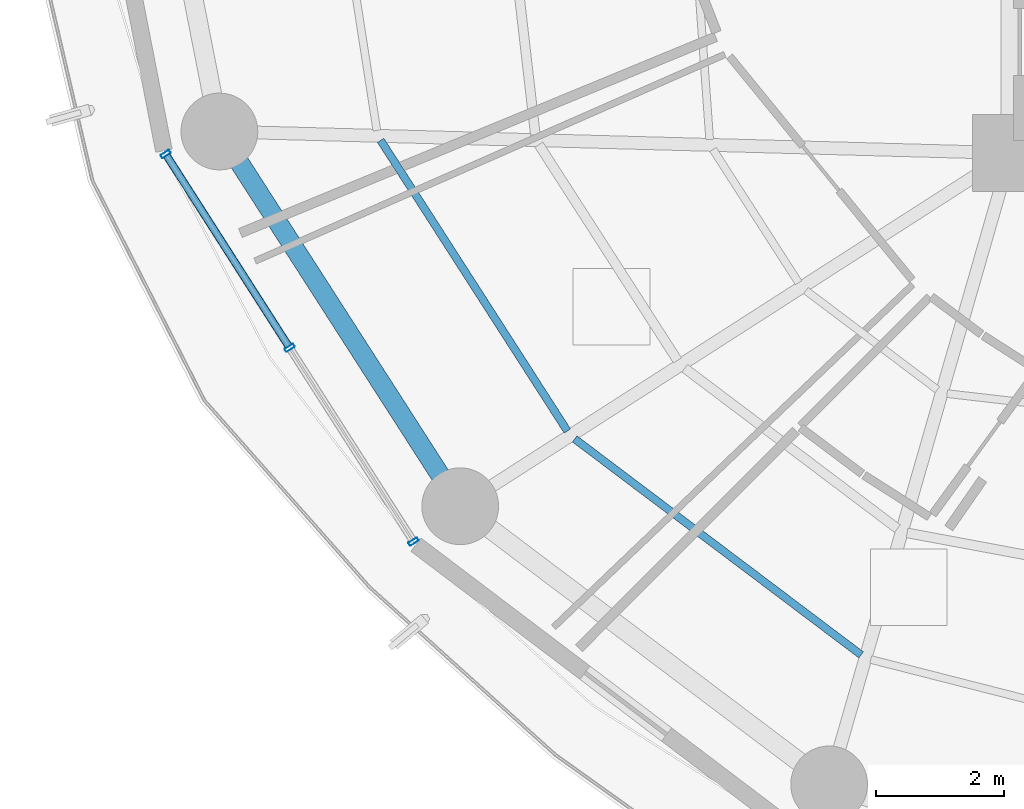
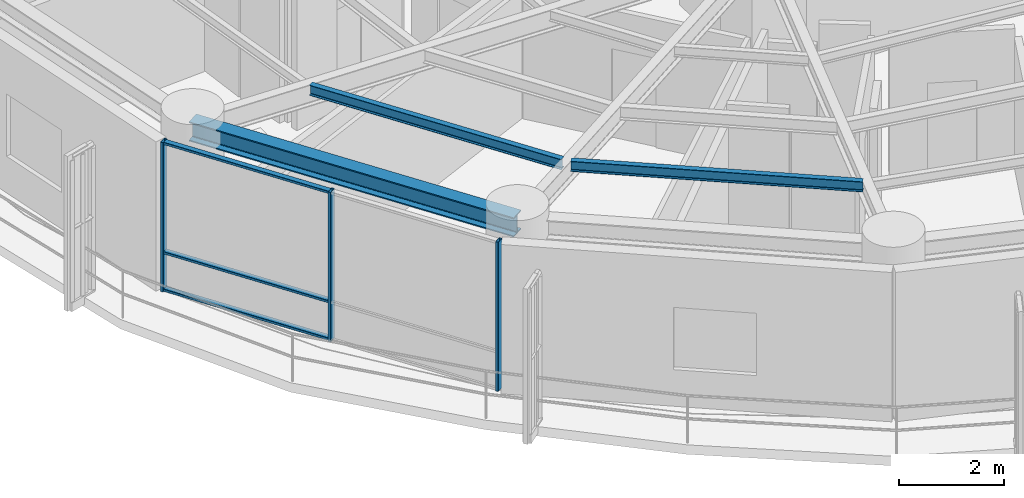
# One storey, part 2 of 27: 6 members, 3 beams, 1 element without a shape of its own.
"""IFC4 building model written with IfcOpenShell, lengths in metres."""

import ifcopenshell
import ifcopenshell.guid

model = None  # the IFC model being written
_history = None  # IfcOwnerHistory: only IFC2X3 demands one
_inside = {}  # id of a spatial element -> (the spatial element, [elements in it])
_under = {}  # id of a project, library or spatial element -> (it, [spatial elements below it])
_declared = {}  # id of a project -> (the project, [libraries it declares])
_typed = {}  # id of a type object -> (the type object, [elements of that type])
_made_of = {}  # id of a material, layer set ... -> (it, [elements and type objects made of it])


def new_model(schema):
    """Start an empty IFC model of exactly this schema.

    Asked for "IFC4X3", IfcOpenShell would pick the latest addendum, in which some entities
    have other attributes; the version numbers below select the first issue.
    IFC2X3 requires an IfcOwnerHistory on every rooted entity: one is made here for all.
    """
    global model, _history
    if schema == "IFC4X3":
        model = ifcopenshell.file(schema_version=(4, 3, 0, 0))
    else:
        model = ifcopenshell.file(schema=schema)
    _inside.clear()
    _under.clear()
    _declared.clear()
    _typed.clear()
    _made_of.clear()
    _history = None
    if model.schema == "IFC2X3":
        org = make("IfcOrganization", Name="unknown")
        user = make(
            "IfcPersonAndOrganization",
            ThePerson=make("IfcPerson", FamilyName="unknown"),
            TheOrganization=org,
        )
        app = make(
            "IfcApplication",
            ApplicationDeveloper=org,
            Version="unknown",
            ApplicationFullName="unknown",
            ApplicationIdentifier="unknown",
        )
        _history = make(
            "IfcOwnerHistory",
            OwningUser=user,
            OwningApplication=app,
            ChangeAction="ADDED",
            CreationDate=0,
        )
    return model


def make(cls, **values):
    """One entity of the class cls with the attributes given. An attribute that is None is left unset."""
    return model.create_entity(
        cls, **{name: value for name, value in values.items() if value is not None}
    )


def rooted(cls, **values):
    """An entity with a GlobalId (a new one), such as an element, a storey or a relation."""
    return make(cls, GlobalId=ifcopenshell.guid.new(), OwnerHistory=_history, **values)


def si_unit(unit_type, name, prefix=None):
    """IfcSIUnit, for example si_unit("LENGTHUNIT", "METRE", prefix="MILLI")."""
    return make("IfcSIUnit", UnitType=unit_type, Prefix=prefix, Name=name)


def assignment(units):
    """IfcUnitAssignment: the units of a project."""
    return None if units is None else make("IfcUnitAssignment", Units=units)


def point(xyz):
    """IfcCartesianPoint."""
    return None if xyz is None else make("IfcCartesianPoint", Coordinates=xyz)


def direction(xyz):
    """IfcDirection."""
    return None if xyz is None else make("IfcDirection", DirectionRatios=xyz)


def frame(location, z_axis=None, x_axis=None):
    """IfcAxis2Placement3D, a coordinate frame: its origin and axes. An axis left out is left unset."""
    return make(
        "IfcAxis2Placement3D",
        Location=point(location),
        Axis=direction(z_axis),
        RefDirection=direction(x_axis),
    )


def frame_2d(location, x_axis=None):
    """IfcAxis2Placement2D, a coordinate frame in the plane: its origin and x axis."""
    return make(
        "IfcAxis2Placement2D", Location=point(location), RefDirection=direction(x_axis)
    )


def origin():
    """The frame at (0, 0, 0) with its axes left unset."""
    return frame((0.0, 0.0, 0.0))


def origin_2d():
    """The frame at (0, 0) in the plane with its x axis left unset."""
    return frame_2d((0.0, 0.0))


def place(relative_to, where):
    """IfcLocalPlacement: puts the frame where relative to a parent placement (None: the world)."""
    return make(
        "IfcLocalPlacement", PlacementRelTo=relative_to, RelativePlacement=where
    )


def context(
    kind, dimensions, precision=None, world=None, true_north=None, identifier=None
):
    """IfcGeometricRepresentationContext, for example the 3D "Model" context."""
    return make(
        "IfcGeometricRepresentationContext",
        ContextIdentifier=identifier,
        ContextType=kind,
        CoordinateSpaceDimension=dimensions,
        Precision=precision,
        WorldCoordinateSystem=world,
        TrueNorth=true_north,
    )


def subcontext(parent, identifier, kind, view, scale=None):
    """IfcGeometricRepresentationSubContext, for example "Body" below "Model"."""
    return make(
        "IfcGeometricRepresentationSubContext",
        ContextIdentifier=identifier,
        ContextType=kind,
        ParentContext=parent,
        TargetScale=scale,
        TargetView=view,
    )


def project(units=None, contexts=None):
    """IfcProject with its units and contexts."""
    return rooted(
        "IfcProject",
        Name="project",
        RepresentationContexts=contexts,
        UnitsInContext=assignment(units),
    )


def spatial(cls, under=None, at=None, **own):
    """A site, building, storey or space (cls), placed at a placement, below another one or the project."""
    s = rooted(cls, ObjectPlacement=at, **own)
    if under is not None:
        _under.setdefault(under.id(), (under, []))[1].append(s)
    return s


def profile(cls, at=None, kind="AREA", **sizes):
    """A parametric profile (cls). Its sizes go by their IFC names, for example OverallWidth=200.0."""
    return make(cls, ProfileType=kind, Position=at, **sizes)


def hollow_rectangle(**sizes):
    """IfcRectangleHollowProfileDef."""
    return profile("IfcRectangleHollowProfileDef", **sizes)


def i_section(**sizes):
    """IfcIShapeProfileDef."""
    return profile("IfcIShapeProfileDef", **sizes)


def extrude(swept, where, along, depth):
    """IfcExtrudedAreaSolid: the profile swept, set in the frame where, extruded along a direction by depth."""
    return make(
        "IfcExtrudedAreaSolid",
        SweptArea=swept,
        Position=where,
        ExtrudedDirection=direction(along),
        Depth=depth,
    )


def shape(context_of_items, identifier, shape_type, items):
    """IfcShapeRepresentation: the items that make up one representation, for example the "Body"."""
    return make(
        "IfcShapeRepresentation",
        ContextOfItems=context_of_items,
        RepresentationIdentifier=identifier,
        RepresentationType=shape_type,
        Items=items,
    )


def material(Name=None, Category=None):
    """IfcMaterial."""
    return make("IfcMaterial", Name=Name, Category=Category)


def layer(
    of_material, thickness, ventilated=None, Name=None, Category=None, Priority=None
):
    """IfcMaterialLayer: one layer of a wall or slab, of a material (None: an air gap)."""
    return make(
        "IfcMaterialLayer",
        Material=of_material,
        LayerThickness=thickness,
        IsVentilated=ventilated,
        Name=Name,
        Category=Category,
        Priority=Priority,
    )


def layer_set(layers, Name=None):
    """IfcMaterialLayerSet."""
    return make("IfcMaterialLayerSet", MaterialLayers=layers, LayerSetName=Name)


def material_profile(
    of_material, cross_section, Name=None, Category=None, Priority=None
):
    """IfcMaterialProfile: a cross section and its material."""
    return make(
        "IfcMaterialProfile",
        Name=Name,
        Material=of_material,
        Profile=cross_section,
        Priority=Priority,
        Category=Category,
    )


def profile_set(profiles, Name=None, composite=None):
    """IfcMaterialProfileSet."""
    return make(
        "IfcMaterialProfileSet",
        Name=Name,
        MaterialProfiles=profiles,
        CompositeProfile=composite,
    )


def made_of(thing, what):
    """Note that an element or type object is made of a material, layer set ...; save() writes the relation."""
    if what is not None:
        _made_of.setdefault(what.id(), (what, []))[1].append(thing)
    return thing


def type_object(cls, material=None, **own):
    """A type object (cls), such as IfcWallType, which elements share."""
    return made_of(rooted(cls, **own), material)


def element(
    cls,
    number,
    at=None,
    inside=None,
    cuts=None,
    type_object=None,
    material=None,
    context=None,
    identifier="Body",
    shape_type=None,
    held_by="IfcProductDefinitionShape",
    body=None,
    shapes=None,
    **own,
):
    """One element of the class cls, such as IfcWall. Its Tag is "e" and its number.

    at: its placement. inside: the storey or other place that contains it. cuts: it is an
    opening in that element (IfcRelVoidsElement). A single representation is given by context,
    identifier, shape_type and body (its items); several are given by shapes. held_by: the class
    of the entity that holds the representations. save() writes the other relations.
    """
    e = rooted(cls, Tag="e%d" % number, ObjectPlacement=at, **own)
    if body is not None:
        shapes = [shape(context, identifier, shape_type, body)]
    if shapes is not None:
        e.Representation = make(held_by, Representations=shapes)
    if inside is not None:
        _inside.setdefault(inside.id(), (inside, []))[1].append(e)
    if cuts is not None:
        rooted(
            "IfcRelVoidsElement", RelatingBuildingElement=cuts, RelatedOpeningElement=e
        )
    if type_object is not None:
        _typed.setdefault(type_object.id(), (type_object, []))[1].append(e)
    return made_of(e, material)


def aggregate(whole, parts):
    """IfcRelAggregates: a whole, such as a stair, and the parts it consists of."""
    return rooted("IfcRelAggregates", RelatingObject=whole, RelatedObjects=parts)


def save(model, path):
    """Write the relations noted so far, then the file.

    IfcRelAggregates (storeys below a building ...), IfcRelContainedInSpatialStructure (elements
    in a storey), IfcRelDefinesByType, IfcRelAssociatesMaterial and IfcRelDeclares: one each for
    every whole, place, type object, material and project.
    """
    for whole, parts in _under.values():
        aggregate(whole, parts)
    for where, things in _inside.values():
        rooted(
            "IfcRelContainedInSpatialStructure",
            RelatedElements=things,
            RelatingStructure=where,
        )
    for kind, things in _typed.values():
        rooted("IfcRelDefinesByType", RelatedObjects=things, RelatingType=kind)
    for what, things in _made_of.values():
        rooted("IfcRelAssociatesMaterial", RelatedObjects=things, RelatingMaterial=what)
    for by, libraries in _declared.values():
        rooted("IfcRelDeclares", RelatingContext=by, RelatedDefinitions=libraries)
    model.write(path)


model = new_model("IFC4")

# Units and contexts
model_context = context("Model", 3, precision=1e-05, world=origin(), true_north=direction((0.0, 1.0)))
body_context = subcontext(model_context, "Body", "Model", "MODEL_VIEW")
ifc_project = project(units=[si_unit("LENGTHUNIT", "METRE"), si_unit("AREAUNIT", "SQUARE_METRE"), si_unit("VOLUMEUNIT", "CUBIC_METRE"), si_unit("PLANEANGLEUNIT", "RADIAN"), si_unit("MASSUNIT", "GRAM", prefix="KILO")], contexts=[model_context])

# Site, building, storey
site_placement = place(None, origin())
site = spatial("IfcSite", under=ifc_project, at=site_placement, CompositionType="ELEMENT")
building_placement = place(site_placement, origin())
building = spatial("IfcBuilding", under=site, at=building_placement, Name="Kelanora Arch Commons", CompositionType="ELEMENT")
storey_placement = place(building_placement, frame((0.0, 0.0, 154.35009765625)))
storey = spatial("IfcBuildingStorey", under=building, at=storey_placement, Name="L39", CompositionType="ELEMENT", Elevation=154.35009765625)

# Beams
ifc_material_1 = material(Name="Steel S355", Category="steel")
ifc_material_profile_1 = material_profile(ifc_material_1, i_section(OverallWidth=0.1201171875, OverallDepth=0.239990234375, WebThickness=0.006103515625, FlangeThickness=0.009765625, FilletRadius=0.014892578125, at=origin_2d()), Name="IPE240")
ifc_profile_set_1 = profile_set([ifc_material_profile_1], Name="Steel S355")
beam_type_1 = type_object("IfcBeamType", Name="BM-JST-02", PredefinedType="JOIST", material=ifc_profile_set_1)
beam_1_placement = place(storey_placement, frame((56.14794921875, 51.198486328125, 3.369873046875), z_axis=(0.540581678156, -0.841291536414, 0.0), x_axis=(0.841291536414, 0.540581678156, 0.0)))
element("IfcBeam", 1, at=beam_1_placement, inside=storey, type_object=beam_type_1, Name="Secondary Chord Joist BJC-20 L39", PredefinedType="JOIST", context=body_context, shape_type="SweptSolid", body=[
    extrude(i_section(OverallWidth=0.1201171875, OverallDepth=0.239990234375, WebThickness=0.006103515625, FlangeThickness=0.009765625, FilletRadius=0.014892578125, at=origin_2d()), origin(), (0.0, 0.0, 1.0), 5.4013671875),
])
beam_2_placement = place(storey_placement, frame((59.181640625, 46.531494140625, 3.369873046875), z_axis=(0.798493128577, -0.602003923256, 0.0), x_axis=(0.602003923256, 0.798493128577, 0.0)))
element("IfcBeam", 2, at=beam_2_placement, inside=storey, type_object=beam_type_1, Name="Secondary Chord Joist BJC-22 L39", PredefinedType="JOIST", context=body_context, shape_type="SweptSolid", body=[
    extrude(i_section(OverallWidth=0.1201171875, OverallDepth=0.239990234375, WebThickness=0.006103515625, FlangeThickness=0.009765625, FilletRadius=0.014892578125, at=origin_2d()), origin(), (0.0, 0.0, 1.0), 5.608642578125),
])
ifc_material_profile_2 = material_profile(ifc_material_1, i_section(OverallWidth=0.300048828125, OverallDepth=0.449951171875, WebThickness=0.013916015625, FlangeThickness=0.02587890625, FilletRadius=0.027099609375, at=origin_2d()), Name="HEB450")
ifc_profile_set_2 = profile_set([ifc_material_profile_2], Name="Steel S355")
beam_type_2 = type_object("IfcBeamType", Name="BM-SPN-Z3", PredefinedType="SPANDREL", material=ifc_profile_set_2)
beam_3_placement = place(storey_placement, frame((53.62744140625, 51.33740234375, 3.264892578125), z_axis=(0.540576852469, -0.841294637196, 0.0), x_axis=(0.841294637196, 0.540576852469, 0.0)))
element("IfcBeam", 3, at=beam_3_placement, inside=storey, type_object=beam_type_2, Name="Perimeter Spandrel Beam BS-20 L39", PredefinedType="SPANDREL", context=body_context, shape_type="SweptSolid", body=[
    extrude(i_section(OverallWidth=0.300048828125, OverallDepth=0.449951171875, WebThickness=0.013916015625, FlangeThickness=0.02587890625, FilletRadius=0.027099609375, at=origin_2d()), origin(), (0.0, 0.0, 1.0), 6.964111328125),
])

# Curtain wall, members
ifc_material_2 = material(Name="Terracotta ceramic-fritted low-E glass and aluminium", Category="masonry")
ifc_layer = layer(ifc_material_2, 0.175048828125)
ifc_layer_set = layer_set([ifc_layer], Name="Terracotta ceramic-fritted low-E glass and aluminium")
curtain_wall_type = type_object("IfcCurtainWallType", Name="CW-SYS-02", PredefinedType="NOTDEFINED", material=ifc_layer_set)
curtain_wall_placement = place(storey_placement, origin())
curtain_wall = element("IfcCurtainWall", 4, at=curtain_wall_placement, inside=storey, type_object=curtain_wall_type, Name="Unitised Curtain Wall L39-B10", PredefinedType="NOTDEFINED")
ifc_material_3 = material(Name="Powder-coated aluminium terracotta", Category="masonry")
ifc_material_profile_3 = material_profile(ifc_material_3, hollow_rectangle(XDim=0.159912109375, YDim=0.06005859375, WallThickness=0.0048828125, InnerFilletRadius=0.0048828125, OuterFilletRadius=0.010009765625, at=origin_2d()), Name="CWM160x60")
ifc_profile_set_3 = profile_set([ifc_material_profile_3], Name="Powder-coated aluminium terracotta")
member_type_1 = type_object("IfcMemberType", Name="CWM-STD", PredefinedType="MULLION", material=ifc_profile_set_3)
member_1_placement = place(storey_placement, frame((52.787109375, 50.98486328125, 0.0), z_axis=(0.0, 0.0, 1.0), x_axis=(0.842422846546, 0.538816988983, 0.0)))
member_1 = element("IfcMember", 5, at=member_1_placement, type_object=member_type_1, Name="CW-02 mullion 1", PredefinedType="MULLION", context=body_context, shape_type="SweptSolid", body=[
    extrude(hollow_rectangle(XDim=0.159912109375, YDim=0.06005859375, WallThickness=0.0048828125, InnerFilletRadius=0.0048828125, OuterFilletRadius=0.010009765625, at=origin_2d()), origin(), (0.0, 0.0, 1.0), 3.474853515625),
])
member_2_placement = place(storey_placement, frame((54.72509765625, 47.954833984375, 0.0), z_axis=(0.0, 0.0, 1.0), x_axis=(0.842422846546, 0.538816988983, 0.0)))
member_2 = element("IfcMember", 6, at=member_2_placement, type_object=member_type_1, Name="CW-02 mullion 2", PredefinedType="MULLION", context=body_context, shape_type="SweptSolid", body=[
    extrude(hollow_rectangle(XDim=0.159912109375, YDim=0.06005859375, WallThickness=0.0048828125, InnerFilletRadius=0.0048828125, OuterFilletRadius=0.010009765625, at=origin_2d()), origin(), (0.0, 0.0, 1.0), 3.474853515625),
])
member_3_placement = place(storey_placement, frame((56.6630859375, 44.925048828125, 0.0), z_axis=(0.0, 0.0, 1.0), x_axis=(0.842422846546, 0.538816988983, 0.0)))
member_3 = element("IfcMember", 7, at=member_3_placement, type_object=member_type_1, Name="CW-02 mullion 3", PredefinedType="MULLION", context=body_context, shape_type="SweptSolid", body=[
    extrude(hollow_rectangle(XDim=0.159912109375, YDim=0.06005859375, WallThickness=0.0048828125, InnerFilletRadius=0.0048828125, OuterFilletRadius=0.010009765625, at=origin_2d()), origin(), (0.0, 0.0, 1.0), 3.474853515625),
])
ifc_material_profile_4 = material_profile(ifc_material_3, hollow_rectangle(XDim=0.1201171875, YDim=0.06005859375, WallThickness=0.0048828125, InnerFilletRadius=0.0048828125, OuterFilletRadius=0.010009765625, at=origin_2d()), Name="CWT120x60")
ifc_profile_set_4 = profile_set([ifc_material_profile_4], Name="Powder-coated aluminium terracotta")
member_type_2 = type_object("IfcMemberType", Name="CWT-STD", PredefinedType="USERDEFINED", material=ifc_profile_set_4)
member_4_placement = place(storey_placement, frame((52.80322265625, 50.959716796875, 0.02978515625), z_axis=(0.53883037555, -0.842414284295, 0.0), x_axis=(0.842414284295, 0.53883037555, 0.0)))
member_4 = element("IfcMember", 8, at=member_4_placement, type_object=member_type_2, Name="CW-02 transom 1.1", ObjectType="TRANSOM", PredefinedType="USERDEFINED", context=body_context, shape_type="SweptSolid", body=[
    extrude(hollow_rectangle(XDim=0.1201171875, YDim=0.06005859375, WallThickness=0.0048828125, InnerFilletRadius=0.0048828125, OuterFilletRadius=0.010009765625, at=origin_2d()), origin(), (0.0, 0.0, 1.0), 3.536865234375),
])
member_5_placement = place(storey_placement, frame((52.80322265625, 50.959716796875, 0.89990234375), z_axis=(0.53883037555, -0.842414284295, 0.0), x_axis=(0.842414284295, 0.53883037555, 0.0)))
member_5 = element("IfcMember", 9, at=member_5_placement, type_object=member_type_2, Name="CW-02 transom 1.2", ObjectType="TRANSOM", PredefinedType="USERDEFINED", context=body_context, shape_type="SweptSolid", body=[
    extrude(hollow_rectangle(XDim=0.1201171875, YDim=0.06005859375, WallThickness=0.0048828125, InnerFilletRadius=0.0048828125, OuterFilletRadius=0.010009765625, at=origin_2d()), origin(), (0.0, 0.0, 1.0), 3.536865234375),
])
member_6_placement = place(storey_placement, frame((52.80322265625, 50.959716796875, 3.44482421875), z_axis=(0.53883037555, -0.842414284295, 0.0), x_axis=(0.842414284295, 0.53883037555, 0.0)))
member_6 = element("IfcMember", 10, at=member_6_placement, type_object=member_type_2, Name="CW-02 transom 1.3", ObjectType="TRANSOM", PredefinedType="USERDEFINED", context=body_context, shape_type="SweptSolid", body=[
    extrude(hollow_rectangle(XDim=0.1201171875, YDim=0.06005859375, WallThickness=0.0048828125, InnerFilletRadius=0.0048828125, OuterFilletRadius=0.010009765625, at=origin_2d()), origin(), (0.0, 0.0, 1.0), 3.536865234375),
])
aggregate(curtain_wall, [member_1, member_2, member_3, member_4, member_5, member_6])

save(model, "model.ifc")
